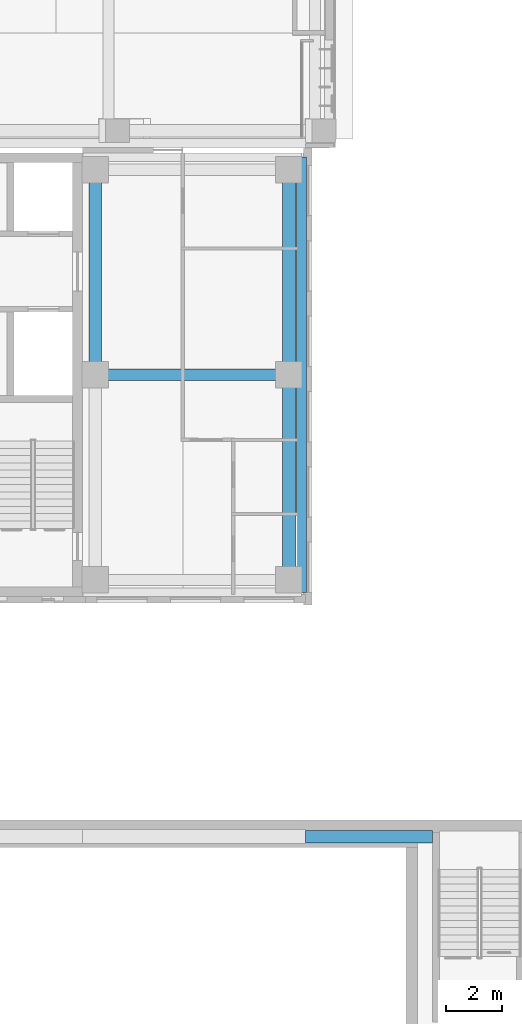
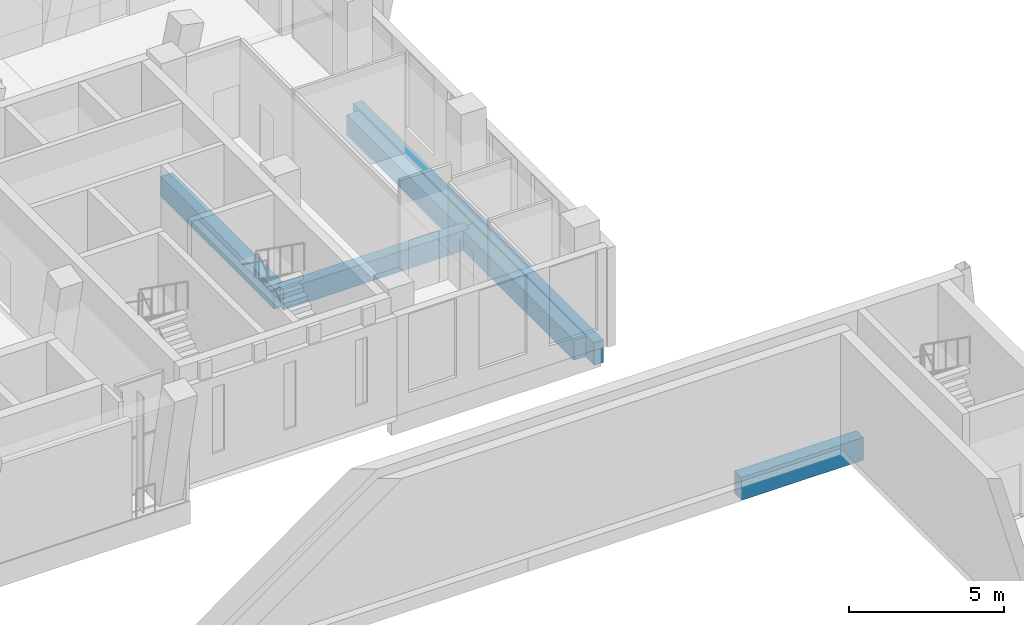
# One storey, part 18 of 92: 6 beams.
"""IFC4 building model written with IfcOpenShell, lengths in metres."""

from ifc_helpers import new_model, si_unit, direction, frame, origin, origin_2d, place, context, subcontext, project, spatial, rectangle, extrude, material, material_profile, profile_set, type_object, element, save


model = new_model("IFC4")

# Units and contexts
model_context = context("Model", 3, precision=1e-05, world=origin(), true_north=direction((0.0, 1.0)))
body_context = subcontext(model_context, "Body", "Model", "MODEL_VIEW")
ifc_project = project(units=[si_unit("LENGTHUNIT", "METRE"), si_unit("AREAUNIT", "SQUARE_METRE"), si_unit("VOLUMEUNIT", "CUBIC_METRE"), si_unit("PLANEANGLEUNIT", "RADIAN"), si_unit("MASSUNIT", "GRAM", prefix="KILO")], contexts=[model_context])

# Site, building, storey
site_placement = place(None, origin())
site = spatial("IfcSite", under=ifc_project, at=site_placement, CompositionType="ELEMENT")
building_placement = place(site_placement, origin())
building = spatial("IfcBuilding", under=site, at=building_placement, Name="Lantern Court Media Centre", CompositionType="ELEMENT")
storey_placement = place(building_placement, frame((0.0, 0.0, 4.800048828125)))
storey = spatial("IfcBuildingStorey", under=building, at=storey_placement, Name="L01", CompositionType="ELEMENT", Elevation=4.800048828125)

# Beams
ifc_material = material(Name="Concrete C35", Category="concrete")
ifc_material_profile_1 = material_profile(ifc_material, rectangle(XDim=0.35009765625, YDim=0.89990234375, at=origin_2d()), Name="RC 350x900")
ifc_profile_set_1 = profile_set([ifc_material_profile_1], Name="Concrete C35")
beam_type_1 = type_object("IfcBeamType", Name="RC BEAM 350x900", PredefinedType="BEAM", material=ifc_profile_set_1)
beam_1_placement = place(storey_placement, frame((95.85009765625, 48.14990234375, -0.449951171875), z_axis=(0.0, 1.0, 0.0), x_axis=(-1.0, 0.0, 0.0)))
element("IfcBeam", 1, at=beam_1_placement, inside=storey, type_object=beam_type_1, Name="EB-SE-L01-E", PredefinedType="BEAM", context=body_context, shape_type="SweptSolid", body=[
    extrude(rectangle(XDim=0.35009765625, YDim=0.89990234375, at=origin_2d()), origin(), (0.0, 0.0, 1.0), 15.60009765625),
])
ifc_material_profile_2 = material_profile(ifc_material, rectangle(XDim=0.39990234375, YDim=0.800048828125, at=origin_2d()), Name="RC 400x800")
ifc_profile_set_2 = profile_set([ifc_material_profile_2], Name="Concrete C35")
beam_type_2 = type_object("IfcBeamType", Name="RC BEAM 400x800", PredefinedType="BEAM", material=ifc_profile_set_2)
beam_2_placement = place(storey_placement, frame((88.449951171875, 55.949951171875, -0.400146484375), z_axis=(1.0, 0.0, 0.0), x_axis=(0.0, 1.0, 0.0)))
element("IfcBeam", 2, at=beam_2_placement, inside=storey, type_object=beam_type_2, Name="BB-SE-L01-Y0-55", PredefinedType="BEAM", context=body_context, shape_type="SweptSolid", body=[
    extrude(rectangle(XDim=0.39990234375, YDim=0.800048828125, at=origin_2d()), origin(), (0.0, 0.0, 1.0), 6.949951171875),
])
ifc_material_profile_3 = material_profile(ifc_material, rectangle(XDim=0.449951171875, YDim=0.800048828125, at=origin_2d()), Name="RC 450x800")
ifc_profile_set_3 = profile_set([ifc_material_profile_3], Name="Concrete C35")
beam_type_3 = type_object("IfcBeamType", Name="RC BEAM 450x800", PredefinedType="BEAM", material=ifc_profile_set_3)
beam_3_placement = place(storey_placement, frame((88.449951171875, 55.949951171875, -0.400146484375), z_axis=(0.0, 1.0, 0.0), x_axis=(-1.0, 0.0, 0.0)))
element("IfcBeam", 3, at=beam_3_placement, inside=storey, type_object=beam_type_3, Name="BB-SE-L01-X1-88", PredefinedType="BEAM", context=body_context, shape_type="SweptSolid", body=[
    extrude(rectangle(XDim=0.449951171875, YDim=0.800048828125, at=origin_2d()), origin(), (0.0, 0.0, 1.0), 7.35009765625),
])
beam_4_placement = place(storey_placement, frame((95.39990234375, 48.60009765625, -0.400146484375), z_axis=(0.0, 1.0, 0.0), x_axis=(-1.0, 0.0, 0.0)))
element("IfcBeam", 4, at=beam_4_placement, inside=storey, type_object=beam_type_3, Name="BB-SE-L01-X0-95", PredefinedType="BEAM", context=body_context, shape_type="SweptSolid", body=[
    extrude(rectangle(XDim=0.449951171875, YDim=0.800048828125, at=origin_2d()), origin(), (0.0, 0.0, 1.0), 7.349853515625),
])
beam_5_placement = place(storey_placement, frame((95.39990234375, 55.949951171875, -0.400146484375), z_axis=(0.0, 1.0, 0.0), x_axis=(-1.0, 0.0, 0.0)))
element("IfcBeam", 5, at=beam_5_placement, inside=storey, type_object=beam_type_3, Name="BB-SE-L01-X1-95", PredefinedType="BEAM", context=body_context, shape_type="SweptSolid", body=[
    extrude(rectangle(XDim=0.449951171875, YDim=0.800048828125, at=origin_2d()), origin(), (0.0, 0.0, 1.0), 7.35009765625),
])
ifc_material_profile_4 = material_profile(ifc_material, rectangle(XDim=0.449951171875, YDim=0.89990234375, at=origin_2d()), Name="RC 450x900")
ifc_profile_set_4 = profile_set([ifc_material_profile_4], Name="Concrete C35")
beam_type_4 = type_object("IfcBeamType", Name="RC BEAM 450x900", PredefinedType="BEAM", material=ifc_profile_set_4)
beam_6_placement = place(storey_placement, frame((96.0, 39.39990234375, -0.449951171875), z_axis=(1.0, 0.0, 0.0), x_axis=(0.0, 1.0, 0.0)))
element("IfcBeam", 6, at=beam_6_placement, inside=storey, type_object=beam_type_4, Name="HB-V2-L01-FX6-3", PredefinedType="BEAM", context=body_context, shape_type="SweptSolid", body=[
    extrude(rectangle(XDim=0.449951171875, YDim=0.89990234375, at=origin_2d()), origin(), (0.0, 0.0, 1.0), 4.550048828125),
])

save(model, "model.ifc")
